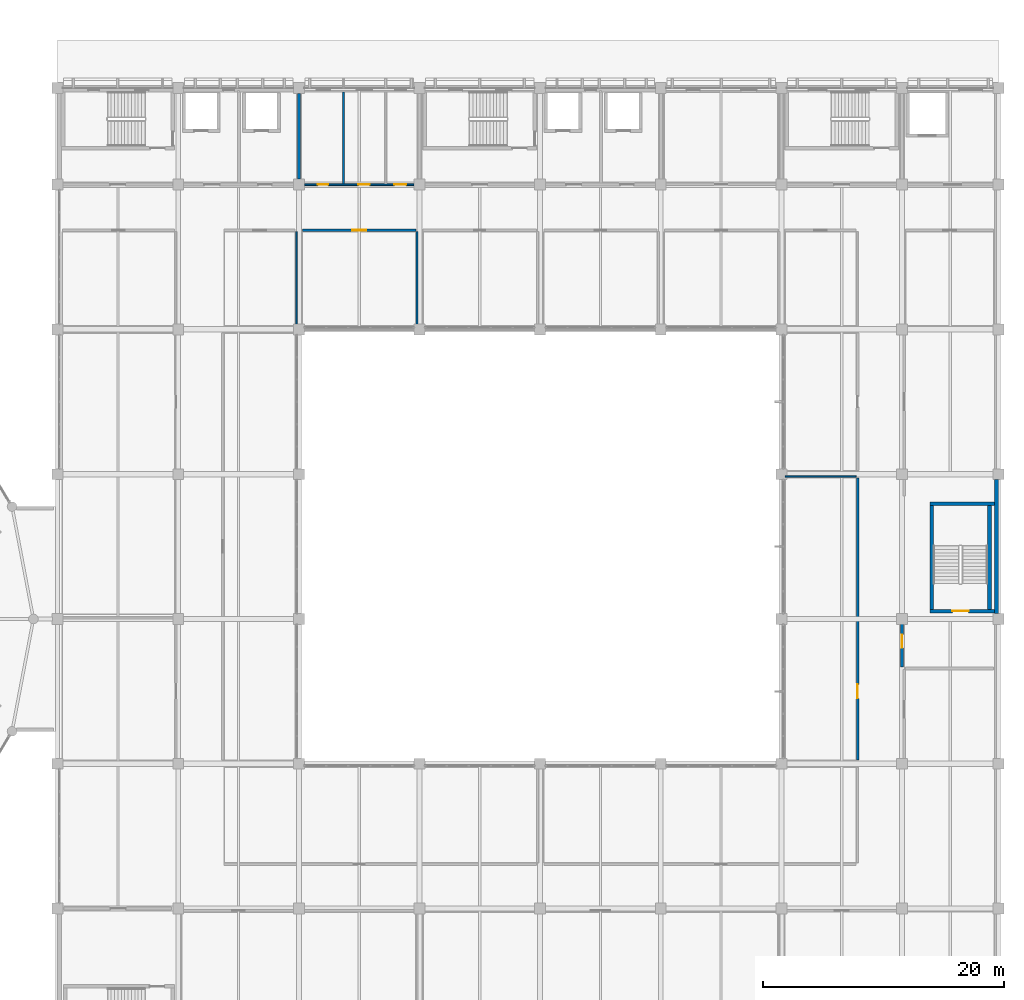
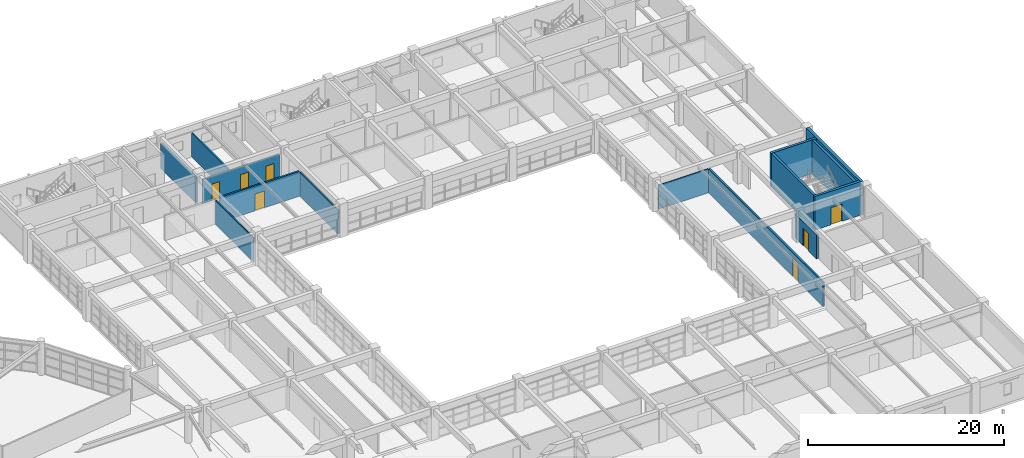
# One storey, part 82 of 100: 14 walls, 7 doors, 7 openings.
"""IFC4 building model written with IfcOpenShell, lengths in metres."""

from ifc_helpers import new_model, si_unit, direction, frame, frame_2d, origin, place, context, subcontext, project, spatial, rectangle, extrude, material, layer, layer_set, type_object, element, fill, save


model = new_model("IFC4")

# Units and contexts
model_context = context("Model", 3, precision=1e-05, world=origin(), true_north=direction((0.0, 1.0)))
body_context = subcontext(model_context, "Body", "Model", "MODEL_VIEW")
ifc_project = project(units=[si_unit("LENGTHUNIT", "METRE"), si_unit("AREAUNIT", "SQUARE_METRE"), si_unit("VOLUMEUNIT", "CUBIC_METRE"), si_unit("PLANEANGLEUNIT", "RADIAN"), si_unit("MASSUNIT", "GRAM", prefix="KILO")], contexts=[model_context])

# Site, building, storey
site_placement = place(None, origin())
site = spatial("IfcSite", under=ifc_project, at=site_placement, CompositionType="ELEMENT")
building_placement = place(site_placement, origin())
building = spatial("IfcBuilding", under=site, at=building_placement, Name="Kivolera Central Railway Station", CompositionType="ELEMENT")
storey_placement = place(building_placement, frame((0.0, 0.0, 5.39990234375)))
storey = spatial("IfcBuildingStorey", under=building, at=storey_placement, Name="L01", CompositionType="ELEMENT", Elevation=5.39990234375)

# Wall, opening, door
ifc_material_1 = material(Name="Swahili coral limestone", Category="masonry")
ifc_layer_1 = layer(ifc_material_1, 0.199951171875, Name="Swahili coral limestone")
ifc_layer_set_1 = layer_set([ifc_layer_1], Name="Swahili coral limestone")
wall_type_1 = type_object("IfcWallType", Name="WL-COR-200", PredefinedType="PARTITIONING", material=ifc_layer_set_1)
wall_1_placement = place(storey_placement, frame((138.300048828125, 122.219970703125, 0.0), z_axis=(0.0, 0.0, 1.0), x_axis=(1.0, 0.0, 0.0)))
wall_1 = element("IfcWall", 1, at=wall_1_placement, inside=storey, type_object=wall_type_1, Name="L01 Coastal Artisan Gallery Shop Corridor Wall", PredefinedType="PARTITIONING", context=body_context, shape_type="SweptSolid", body=[
    extrude(rectangle(XDim=9.39990234375, YDim=0.199951171875, at=frame_2d((4.699951171875, 0.0))), origin(), (0.0, 0.0, 1.0), 3.1181640625),
])
opening_1_placement = place(wall_1_placement, frame((4.125, 0.0, 0.0)))
opening_1 = element("IfcOpeningElement", 2, at=opening_1_placement, cuts=wall_1, Name="Opening D-SG-06", PredefinedType="OPENING", context=body_context, shape_type="SweptSolid", body=[
    extrude(rectangle(XDim=1.14990234375, YDim=2.10009765625, at=frame_2d((0.574951171875, 1.050048828125))), frame((0.0, 0.10986328125, 0.0), z_axis=(0.0, -1.0, 0.0), x_axis=(1.0, 0.0, 0.0)), (0.0, 0.0, 1.0), 0.219970703125),
])
ifc_material_2 = material(Name="Hardwood mvule timber", Category="wood")
door_type_1 = type_object("IfcDoorType", Name="DR-D-SG-06", OperationType="NOTDEFINED", PredefinedType="DOOR", material=ifc_material_2)
door_1_placement = place(opening_1_placement, origin())
door_1 = element("IfcDoor", 3, at=door_1_placement, inside=storey, type_object=door_type_1, Name="L01 Coastal Artisan Gallery Shop Door", OperationType="SINGLE_SWING_LEFT", OverallHeight=2.10009765625, OverallWidth=1.14990234375, PredefinedType="DOOR", context=body_context, shape_type="SweptSolid", body=[
    extrude(rectangle(XDim=1.14990234375, YDim=2.10009765625, at=frame_2d((0.574951171875, 1.050048828125))), frame((0.0, 0.02490234375, 0.0), z_axis=(0.0, -1.0, 0.0), x_axis=(1.0, 0.0, 0.0)), (0.0, 0.0, 1.0), 0.050048828125),
])
fill(opening_1, door_1)

wall_2_placement = place(storey_placement, frame((184.320068359375, 78.300048828125, 0.0), z_axis=(0.0, 0.0, 1.0), x_axis=(0.0, 1.0, 0.0)))
wall_2 = element("IfcWall", 4, at=wall_2_placement, inside=storey, type_object=wall_type_1, Name="L01 Regional Commuter Waiting Lounge Corridor Wall", PredefinedType="PARTITIONING", context=body_context, shape_type="SweptSolid", body=[
    extrude(rectangle(XDim=23.39990234375, YDim=0.199951171875, at=frame_2d((11.699951171875, 0.0))), origin(), (0.0, 0.0, 1.0), 3.01806640625),
])
opening_2_placement = place(wall_2_placement, frame((5.125, 0.0, 0.0)))
opening_2 = element("IfcOpeningElement", 5, at=opening_2_placement, cuts=wall_2, Name="Opening D-SG-15", PredefinedType="OPENING", context=body_context, shape_type="SweptSolid", body=[
    extrude(rectangle(XDim=1.14990234375, YDim=2.300048828125, at=frame_2d((0.574951171875, 1.14990234375))), frame((0.0, 0.10986328125, 0.0), z_axis=(0.0, -1.0, 0.0), x_axis=(1.0, 0.0, 0.0)), (0.0, 0.0, 1.0), 0.219970703125),
])
door_type_2 = type_object("IfcDoorType", Name="DR-D-SG-15", OperationType="NOTDEFINED", PredefinedType="DOOR", material=ifc_material_2)
door_2_placement = place(opening_2_placement, origin())
door_2 = element("IfcDoor", 6, at=door_2_placement, inside=storey, type_object=door_type_2, Name="L01 Regional Commuter Waiting Lounge Door", OperationType="SINGLE_SWING_RIGHT", OverallHeight=2.300048828125, OverallWidth=1.14990234375, PredefinedType="DOOR", context=body_context, shape_type="SweptSolid", body=[
    extrude(rectangle(XDim=1.14990234375, YDim=2.300048828125, at=frame_2d((0.574951171875, 1.14990234375))), frame((0.0, 0.02490234375, 0.0), z_axis=(0.0, -1.0, 0.0), x_axis=(1.0, 0.0, 0.0)), (0.0, 0.0, 1.0), 0.050048828125),
])
fill(opening_2, door_2)

# Walls
ifc_material_3 = material(Name="Concrete C40/50", Category="concrete")
ifc_layer_2 = layer(ifc_material_3, 0.300048828125, Name="Concrete C40/50")
ifc_layer_set_2 = layer_set([ifc_layer_2], Name="Concrete C40/50")
wall_type_2 = type_object("IfcWallType", Name="WL-CORE-300", PredefinedType="SHEAR", material=ifc_layer_set_2)
for number, where, z_axis, x_axis, name in (
    (7, (190.449951171875, 90.800048828125, 0.0), (0.0, 0.0, 1.0), (0.0, 1.0, 0.0), "L01 ST11 Core Right Shear Wall"),
    (8, (195.25, 99.39990234375, 0.0), (0.0, 0.0, 1.0), (0.0, -1.0, 0.0), "L01 ST11 Core Left Shear Wall"),
):
    element("IfcWall", number, at=place(storey_placement, frame(where, z_axis=z_axis, x_axis=x_axis)), inside=storey, type_object=wall_type_2, Name=name, PredefinedType="SHEAR", context=body_context, shape_type="SweptSolid", body=[
        extrude(rectangle(XDim=8.599853515625, YDim=0.300048828125, at=frame_2d((4.2998046875, 0.0))), origin(), (0.0, 0.0, 1.0), 4.2001953125),
    ])

# Wall, opening, door
wall_3_placement = place(storey_placement, frame((195.64990234375, 90.64990234375, 0.0), z_axis=(0.0, 0.0, 1.0), x_axis=(-1.0, 0.0, 0.0)))
wall_3 = element("IfcWall", 9, at=wall_3_placement, inside=storey, type_object=wall_type_2, Name="L01 ST11 Core Near Shear Wall", PredefinedType="SHEAR", context=body_context, shape_type="SweptSolid", body=[
    extrude(rectangle(XDim=5.349853515625, YDim=0.300048828125, at=frame_2d((2.6748046875, 0.0))), origin(), (0.0, 0.0, 1.0), 4.2001953125),
])
opening_3_placement = place(wall_3_placement, frame((2.125, 0.0, 0.0)))
opening_3 = element("IfcOpeningElement", 10, at=opening_3_placement, cuts=wall_3, Name="Opening D-STAIR-1350", PredefinedType="OPENING", context=body_context, shape_type="SweptSolid", body=[
    extrude(rectangle(XDim=1.35009765625, YDim=2.14990234375, at=frame_2d((0.675048828125, 1.074951171875))), frame((0.0, 0.159912109375, 0.0), z_axis=(0.0, -1.0, 0.0), x_axis=(1.0, 0.0, 0.0)), (0.0, 0.0, 1.0), 0.320068359375),
])
door_type_3 = type_object("IfcDoorType", Name="DR-D-STAIR-1350", OperationType="NOTDEFINED", PredefinedType="DOOR", material=ifc_material_2)
door_3_placement = place(opening_3_placement, origin())
door_3 = element("IfcDoor", 11, at=door_3_placement, inside=storey, type_object=door_type_3, Name="L01 ST11 Concourse/Platform Stair Fire Door", OperationType="SINGLE_SWING_RIGHT", OverallHeight=2.14990234375, OverallWidth=1.35009765625, PredefinedType="DOOR", context=body_context, shape_type="SweptSolid", body=[
    extrude(rectangle(XDim=1.35009765625, YDim=2.14990234375, at=frame_2d((0.675048828125, 1.074951171875))), frame((0.0, 0.02490234375, 0.0), z_axis=(0.0, -1.0, 0.0), x_axis=(1.0, 0.0, 0.0)), (0.0, 0.0, 1.0), 0.050048828125),
])
fill(opening_3, door_3)

# Walls
wall_4_placement = place(storey_placement, frame((190.300048828125, 99.550048828125, 0.0), z_axis=(0.0, 0.0, 1.0), x_axis=(1.0, 0.0, 0.0)))
element("IfcWall", 12, at=wall_4_placement, inside=storey, type_object=wall_type_2, Name="L01 ST11 Core Far Shear Wall", PredefinedType="SHEAR", context=body_context, shape_type="SweptSolid", body=[
    extrude(rectangle(XDim=5.349853515625, YDim=0.300048828125, at=frame_2d((2.6748046875, 0.0))), origin(), (0.0, 0.0, 1.0), 4.2001953125),
])
ifc_layer_3 = layer(ifc_material_3, 0.25, Name="Concrete C40/50")
ifc_layer_set_3 = layer_set([ifc_layer_3], Name="Concrete C40/50")
wall_type_3 = type_object("IfcWallType", Name="WL-FFL-250", PredefinedType="PARTITIONING", material=ifc_layer_set_3)
wall_5_placement = place(storey_placement, frame((138.0, 126.455078125, 0.0), z_axis=(0.0, 0.0, 1.0), x_axis=(0.0, 1.0, 0.0)))
element("IfcWall", 13, at=wall_5_placement, inside=storey, type_object=wall_type_3, Name="L01 North Core Partition GRID-138", PredefinedType="PARTITIONING", context=body_context, shape_type="SweptSolid", body=[
    extrude(rectangle(XDim=7.08984375, YDim=0.25, at=frame_2d((3.544921875, 0.0))), origin(), (0.0, 0.0, 1.0), 3.1181640625),
])

# Wall, opening, door
wall_6_placement = place(storey_placement, frame((188.0, 86.0, 0.0), z_axis=(0.0, 0.0, 1.0), x_axis=(0.0, 1.0, 0.0)))
wall_6 = element("IfcWall", 14, at=wall_6_placement, inside=storey, type_object=wall_type_3, Name="L01 ST11 Lobby Wall", PredefinedType="PARTITIONING", context=body_context, shape_type="SweptSolid", body=[
    extrude(rectangle(XDim=4.35009765625, YDim=0.25, at=frame_2d((2.175048828125, 0.0))), origin(), (0.0, 0.0, 1.0), 3.01806640625),
])
opening_4_placement = place(wall_6_placement, frame((1.60009765625, 0.0, 0.0)))
opening_4 = element("IfcOpeningElement", 15, at=opening_4_placement, cuts=wall_6, Name="Opening D-FFL-1100", PredefinedType="OPENING", context=body_context, shape_type="SweptSolid", body=[
    extrude(rectangle(XDim=1.10009765625, YDim=2.14990234375, at=frame_2d((0.550048828125, 1.074951171875))), frame((0.0, 0.135009765625, 0.0), z_axis=(0.0, -1.0, 0.0), x_axis=(1.0, 0.0, 0.0)), (0.0, 0.0, 1.0), 0.27001953125),
])
door_type_4 = type_object("IfcDoorType", Name="DR-D-FFL-1100", OperationType="NOTDEFINED", PredefinedType="DOOR", material=ifc_material_2)
door_4_placement = place(opening_4_placement, origin())
door_4 = element("IfcDoor", 16, at=door_4_placement, inside=storey, type_object=door_type_4, Name="L01 ST11 Lobby Corridor Door", OperationType="SINGLE_SWING_LEFT", OverallHeight=2.14990234375, OverallWidth=1.10009765625, PredefinedType="DOOR", context=body_context, shape_type="SweptSolid", body=[
    extrude(rectangle(XDim=1.10009765625, YDim=2.14990234375, at=frame_2d((0.550048828125, 1.074951171875))), frame((0.0, 0.02490234375, 0.0), z_axis=(0.0, -1.0, 0.0), x_axis=(1.0, 0.0, 0.0)), (0.0, 0.0, 1.0), 0.050048828125),
])
fill(opening_4, door_4)

# Walls
ifc_layer_4 = layer(ifc_material_3, 0.35009765625, Name="Concrete C40/50")
ifc_layer_set_4 = layer_set([ifc_layer_4], Name="Concrete C40/50")
wall_type_4 = type_object("IfcWallType", Name="WL-PARTY-350", PredefinedType="SOLIDWALL", material=ifc_layer_set_4)
wall_7_placement = place(storey_placement, frame((195.824951171875, 101.554931640625, 0.0), z_axis=(0.0, 0.0, 1.0), x_axis=(0.0, -1.0, 0.0)))
element("IfcWall", 17, at=wall_7_placement, inside=storey, type_object=wall_type_4, Name="L01 East Infill EI 120 Party Wall 90-102", PredefinedType="SOLIDWALL", context=body_context, shape_type="SweptSolid", body=[
    extrude(rectangle(XDim=11.10986328125, YDim=0.35009765625, at=frame_2d((5.554931640625, 0.0))), origin(), (0.0, 0.0, 1.0), 4.2001953125),
])
ifc_material_4 = material(Name="Gypsum plasterboard steel-stud partition")
ifc_layer_5 = layer(ifc_material_4, 0.1201171875, Name="Gypsum plasterboard steel-stud partition")
ifc_layer_set_5 = layer_set([ifc_layer_5], Name="Gypsum plasterboard steel-stud partition")
wall_type_5 = type_object("IfcWallType", Name="WL-PRT-120", PredefinedType="PARTITIONING", material=ifc_layer_set_5)
wall_8_placement = place(storey_placement, frame((137.800048828125, 114.300048828125, 0.0), z_axis=(0.0, 0.0, 1.0), x_axis=(0.0, 1.0, 0.0)))
element("IfcWall", 18, at=wall_8_placement, inside=storey, type_object=wall_type_5, Name="L01 Railway Souvenir Kiosk Shop Partition Wall", PredefinedType="PARTITIONING", context=body_context, shape_type="SweptSolid", body=[
    extrude(rectangle(XDim=7.800048828125, YDim=0.1201171875, at=frame_2d((3.89990234375, 0.0))), origin(), (0.0, 0.0, 1.0), 3.01806640625),
])
wall_9_placement = place(storey_placement, frame((178.300048828125, 101.800048828125, 0.0), z_axis=(0.0, 0.0, 1.0), x_axis=(1.0, 0.0, 0.0)))
element("IfcWall", 19, at=wall_9_placement, inside=storey, type_object=wall_type_5, Name="L01 Regional Commuter Waiting Lounge Partition Wall", PredefinedType="PARTITIONING", context=body_context, shape_type="SweptSolid", body=[
    extrude(rectangle(XDim=5.89990234375, YDim=0.1201171875, at=frame_2d((2.949951171875, 0.0))), origin(), (0.0, 0.0, 1.0), 3.01806640625),
])

# Wall, openings, doors
ifc_layer_6 = layer(ifc_material_4, 0.14990234375, Name="Gypsum plasterboard steel-stud partition")
ifc_layer_set_6 = layer_set([ifc_layer_6], Name="Gypsum plasterboard steel-stud partition")
wall_type_6 = type_object("IfcWallType", Name="WL-PRT-150", PredefinedType="PARTITIONING", material=ifc_layer_set_6)
wall_10_placement = place(storey_placement, frame((138.455078125, 126.0, 0.0), z_axis=(0.0, 0.0, 1.0), x_axis=(1.0, 0.0, 0.0)))
wall_10 = element("IfcWall", 20, at=wall_10_placement, inside=storey, type_object=wall_type_6, Name="L01 North Core Corridor Wall 138", PredefinedType="PARTITIONING", context=body_context, shape_type="SweptSolid", body=[
    extrude(rectangle(XDim=9.08984375, YDim=0.14990234375, at=frame_2d((4.544921875, 0.0))), origin(), (0.0, 0.0, 1.0), 3.01806640625),
])
opening_5_placement = place(wall_10_placement, frame((1.094970703125, 0.0, 0.0)))
opening_5 = element("IfcOpeningElement", 21, at=opening_5_placement, cuts=wall_10, Name="Opening D-WC-0900", PredefinedType="OPENING", context=body_context, shape_type="SweptSolid", body=[
    extrude(rectangle(XDim=0.89990234375, YDim=2.050048828125, at=frame_2d((0.449951171875, 1.02490234375))), frame((0.0, 0.0849609375, 0.0), z_axis=(0.0, -1.0, 0.0), x_axis=(1.0, 0.0, 0.0)), (0.0, 0.0, 1.0), 0.169921875),
])
opening_6_placement = place(wall_10_placement, frame((4.469970703125, 0.0, 0.0)))
opening_6 = element("IfcOpeningElement", 22, at=opening_6_placement, cuts=wall_10, Name="Opening D-WC-0950", PredefinedType="OPENING", context=body_context, shape_type="SweptSolid", body=[
    extrude(rectangle(XDim=0.949951171875, YDim=2.050048828125, at=frame_2d((0.47509765625, 1.02490234375))), frame((0.0, 0.0849609375, 0.0), z_axis=(0.0, -1.0, 0.0), x_axis=(1.0, 0.0, 0.0)), (0.0, 0.0, 1.0), 0.169921875),
])
opening_7_placement = place(wall_10_placement, frame((7.445068359375, 0.0, 0.0)))
opening_7 = element("IfcOpeningElement", 23, at=opening_7_placement, cuts=wall_10, Name="Opening D-ACC-1000", PredefinedType="OPENING", context=body_context, shape_type="SweptSolid", body=[
    extrude(rectangle(XDim=1.0, YDim=2.050048828125, at=frame_2d((0.5, 1.02490234375))), frame((0.0, 0.0849609375, 0.0), z_axis=(0.0, -1.0, 0.0), x_axis=(1.0, 0.0, 0.0)), (0.0, 0.0, 1.0), 0.169921875),
])
door_type_5 = type_object("IfcDoorType", Name="DR-D-ACC-1000", OperationType="NOTDEFINED", PredefinedType="DOOR", material=ifc_material_2)
door_5_placement = place(opening_7_placement, origin())
door_5 = element("IfcDoor", 24, at=door_5_placement, inside=storey, type_object=door_type_5, Name="L01 Accessible Washroom Door", OperationType="SINGLE_SWING_RIGHT", OverallHeight=2.050048828125, OverallWidth=1.0, PredefinedType="DOOR", context=body_context, shape_type="SweptSolid", body=[
    extrude(rectangle(XDim=1.0, YDim=2.050048828125, at=frame_2d((0.5, 1.02490234375))), frame((0.0, 0.02490234375, 0.0), z_axis=(0.0, -1.0, 0.0), x_axis=(1.0, 0.0, 0.0)), (0.0, 0.0, 1.0), 0.050048828125),
])
fill(opening_7, door_5)
door_type_6 = type_object("IfcDoorType", Name="DR-D-WC-0900", OperationType="NOTDEFINED", PredefinedType="DOOR", material=ifc_material_2)
door_6_placement = place(opening_5_placement, origin())
door_6 = element("IfcDoor", 25, at=door_6_placement, inside=storey, type_object=door_type_6, Name="L01 Male Washroom Door", OperationType="SINGLE_SWING_RIGHT", OverallHeight=2.050048828125, OverallWidth=0.89990234375, PredefinedType="DOOR", context=body_context, shape_type="SweptSolid", body=[
    extrude(rectangle(XDim=0.89990234375, YDim=2.050048828125, at=frame_2d((0.449951171875, 1.02490234375))), frame((0.0, 0.02490234375, 0.0), z_axis=(0.0, -1.0, 0.0), x_axis=(1.0, 0.0, 0.0)), (0.0, 0.0, 1.0), 0.050048828125),
])
fill(opening_5, door_6)
door_type_7 = type_object("IfcDoorType", Name="DR-D-WC-0950", OperationType="NOTDEFINED", PredefinedType="DOOR", material=ifc_material_2)
door_7_placement = place(opening_6_placement, origin())
door_7 = element("IfcDoor", 26, at=door_7_placement, inside=storey, type_object=door_type_7, Name="L01 Female Washroom Door", OperationType="SINGLE_SWING_LEFT", OverallHeight=2.050048828125, OverallWidth=0.949951171875, PredefinedType="DOOR", context=body_context, shape_type="SweptSolid", body=[
    extrude(rectangle(XDim=0.949951171875, YDim=2.050048828125, at=frame_2d((0.47509765625, 1.02490234375))), frame((0.0, 0.02490234375, 0.0), z_axis=(0.0, -1.0, 0.0), x_axis=(1.0, 0.0, 0.0)), (0.0, 0.0, 1.0), 0.050048828125),
])
fill(opening_6, door_7)

# Walls
wall_11_placement = place(storey_placement, frame((141.699951171875, 126.074951171875, 0.0), z_axis=(0.0, 0.0, 1.0), x_axis=(0.0, 1.0, 0.0)))
element("IfcWall", 27, at=wall_11_placement, inside=storey, type_object=wall_type_6, Name="L01 North Core Partition WC-DIV1", PredefinedType="PARTITIONING", context=body_context, shape_type="SweptSolid", body=[
    extrude(rectangle(XDim=7.60498046875, YDim=0.14990234375, at=frame_2d((3.802490234375, 0.0))), origin(), (0.0, 0.0, 1.0), 3.01806640625),
])
ifc_layer_7 = layer(ifc_material_4, 0.179931640625, Name="Gypsum plasterboard steel-stud partition")
ifc_layer_set_7 = layer_set([ifc_layer_7], Name="Gypsum plasterboard steel-stud partition")
wall_type_7 = type_object("IfcWallType", Name="WL-PRT-180", PredefinedType="PARTITIONING", material=ifc_layer_set_7)
wall_12_placement = place(storey_placement, frame((147.800048828125, 114.300048828125, 0.0), z_axis=(0.0, 0.0, 1.0), x_axis=(0.0, 1.0, 0.0)))
element("IfcWall", 28, at=wall_12_placement, inside=storey, type_object=wall_type_7, Name="L01 Coastal Artisan Gallery Shop Partition Wall", PredefinedType="PARTITIONING", context=body_context, shape_type="SweptSolid", body=[
    extrude(rectangle(XDim=7.800048828125, YDim=0.179931640625, at=frame_2d((3.89990234375, 0.0))), origin(), (0.0, 0.0, 1.0), 3.01806640625),
])

save(model, "model.ifc")
